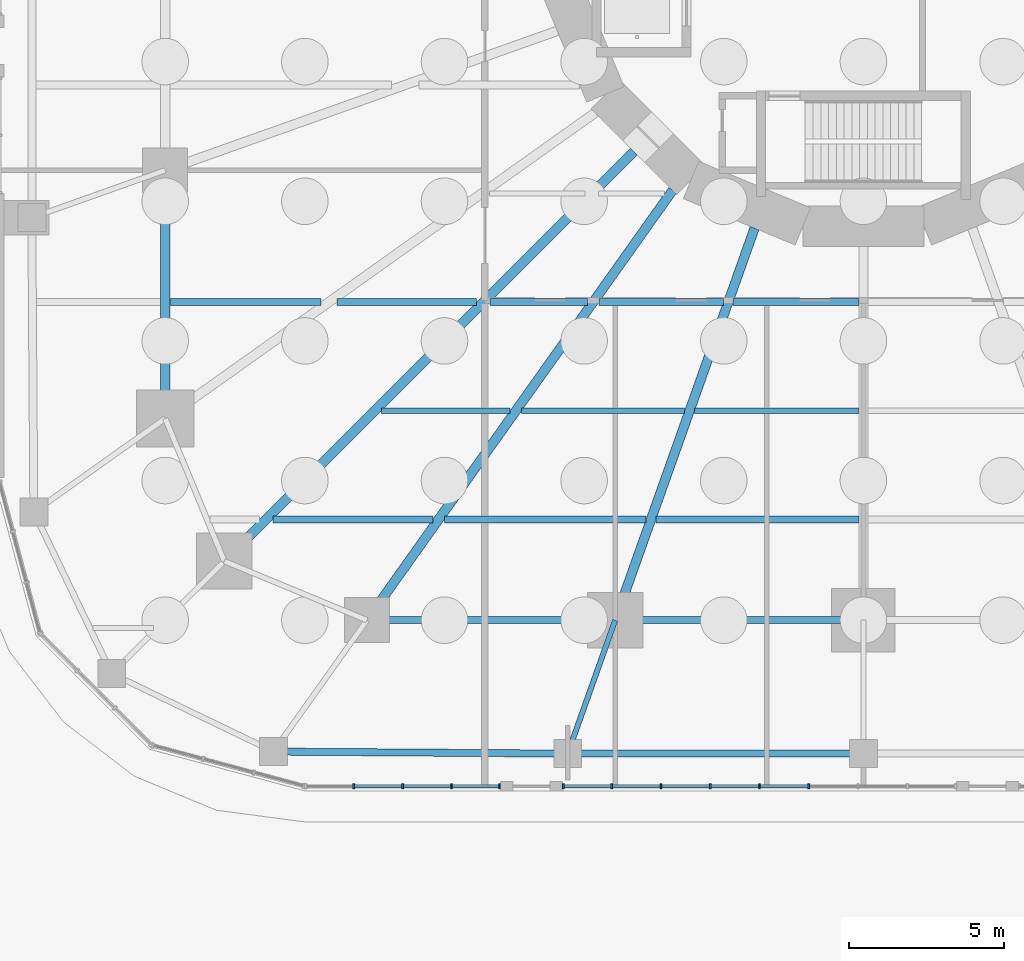
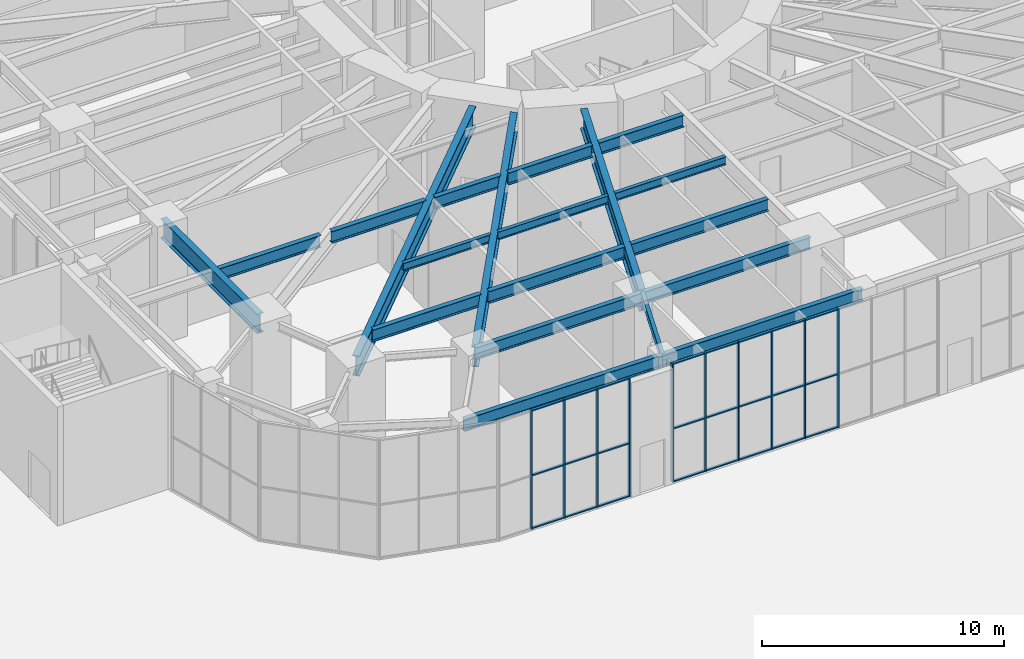
# One storey, part 6 of 43: 34 members, 20 beams, 2 elements without a shape of their own.
"""IFC4 building model written with IfcOpenShell, lengths in metres."""

import ifcopenshell
import ifcopenshell.guid

model = None  # the IFC model being written
_history = None  # IfcOwnerHistory: only IFC2X3 demands one
_inside = {}  # id of a spatial element -> (the spatial element, [elements in it])
_under = {}  # id of a project, library or spatial element -> (it, [spatial elements below it])
_declared = {}  # id of a project -> (the project, [libraries it declares])
_typed = {}  # id of a type object -> (the type object, [elements of that type])
_made_of = {}  # id of a material, layer set ... -> (it, [elements and type objects made of it])


def new_model(schema):
    """Start an empty IFC model of exactly this schema.

    Asked for "IFC4X3", IfcOpenShell would pick the latest addendum, in which some entities
    have other attributes; the version numbers below select the first issue.
    IFC2X3 requires an IfcOwnerHistory on every rooted entity: one is made here for all.
    """
    global model, _history
    if schema == "IFC4X3":
        model = ifcopenshell.file(schema_version=(4, 3, 0, 0))
    else:
        model = ifcopenshell.file(schema=schema)
    _inside.clear()
    _under.clear()
    _declared.clear()
    _typed.clear()
    _made_of.clear()
    _history = None
    if model.schema == "IFC2X3":
        org = make("IfcOrganization", Name="unknown")
        user = make(
            "IfcPersonAndOrganization",
            ThePerson=make("IfcPerson", FamilyName="unknown"),
            TheOrganization=org,
        )
        app = make(
            "IfcApplication",
            ApplicationDeveloper=org,
            Version="unknown",
            ApplicationFullName="unknown",
            ApplicationIdentifier="unknown",
        )
        _history = make(
            "IfcOwnerHistory",
            OwningUser=user,
            OwningApplication=app,
            ChangeAction="ADDED",
            CreationDate=0,
        )
    return model


def make(cls, **values):
    """One entity of the class cls with the attributes given. An attribute that is None is left unset."""
    return model.create_entity(
        cls, **{name: value for name, value in values.items() if value is not None}
    )


def rooted(cls, **values):
    """An entity with a GlobalId (a new one), such as an element, a storey or a relation."""
    return make(cls, GlobalId=ifcopenshell.guid.new(), OwnerHistory=_history, **values)


def si_unit(unit_type, name, prefix=None):
    """IfcSIUnit, for example si_unit("LENGTHUNIT", "METRE", prefix="MILLI")."""
    return make("IfcSIUnit", UnitType=unit_type, Prefix=prefix, Name=name)


def assignment(units):
    """IfcUnitAssignment: the units of a project."""
    return None if units is None else make("IfcUnitAssignment", Units=units)


def point(xyz):
    """IfcCartesianPoint."""
    return None if xyz is None else make("IfcCartesianPoint", Coordinates=xyz)


def direction(xyz):
    """IfcDirection."""
    return None if xyz is None else make("IfcDirection", DirectionRatios=xyz)


def frame(location, z_axis=None, x_axis=None):
    """IfcAxis2Placement3D, a coordinate frame: its origin and axes. An axis left out is left unset."""
    return make(
        "IfcAxis2Placement3D",
        Location=point(location),
        Axis=direction(z_axis),
        RefDirection=direction(x_axis),
    )


def frame_2d(location, x_axis=None):
    """IfcAxis2Placement2D, a coordinate frame in the plane: its origin and x axis."""
    return make(
        "IfcAxis2Placement2D", Location=point(location), RefDirection=direction(x_axis)
    )


def origin():
    """The frame at (0, 0, 0) with its axes left unset."""
    return frame((0.0, 0.0, 0.0))


def origin_2d():
    """The frame at (0, 0) in the plane with its x axis left unset."""
    return frame_2d((0.0, 0.0))


def place(relative_to, where):
    """IfcLocalPlacement: puts the frame where relative to a parent placement (None: the world)."""
    return make(
        "IfcLocalPlacement", PlacementRelTo=relative_to, RelativePlacement=where
    )


def context(
    kind, dimensions, precision=None, world=None, true_north=None, identifier=None
):
    """IfcGeometricRepresentationContext, for example the 3D "Model" context."""
    return make(
        "IfcGeometricRepresentationContext",
        ContextIdentifier=identifier,
        ContextType=kind,
        CoordinateSpaceDimension=dimensions,
        Precision=precision,
        WorldCoordinateSystem=world,
        TrueNorth=true_north,
    )


def subcontext(parent, identifier, kind, view, scale=None):
    """IfcGeometricRepresentationSubContext, for example "Body" below "Model"."""
    return make(
        "IfcGeometricRepresentationSubContext",
        ContextIdentifier=identifier,
        ContextType=kind,
        ParentContext=parent,
        TargetScale=scale,
        TargetView=view,
    )


def project(units=None, contexts=None):
    """IfcProject with its units and contexts."""
    return rooted(
        "IfcProject",
        Name="project",
        RepresentationContexts=contexts,
        UnitsInContext=assignment(units),
    )


def spatial(cls, under=None, at=None, **own):
    """A site, building, storey or space (cls), placed at a placement, below another one or the project."""
    s = rooted(cls, ObjectPlacement=at, **own)
    if under is not None:
        _under.setdefault(under.id(), (under, []))[1].append(s)
    return s


def profile(cls, at=None, kind="AREA", **sizes):
    """A parametric profile (cls). Its sizes go by their IFC names, for example OverallWidth=200.0."""
    return make(cls, ProfileType=kind, Position=at, **sizes)


def rectangle(**sizes):
    """IfcRectangleProfileDef."""
    return profile("IfcRectangleProfileDef", **sizes)


def i_section(**sizes):
    """IfcIShapeProfileDef."""
    return profile("IfcIShapeProfileDef", **sizes)


def extrude(swept, where, along, depth):
    """IfcExtrudedAreaSolid: the profile swept, set in the frame where, extruded along a direction by depth."""
    return make(
        "IfcExtrudedAreaSolid",
        SweptArea=swept,
        Position=where,
        ExtrudedDirection=direction(along),
        Depth=depth,
    )


def shape(context_of_items, identifier, shape_type, items):
    """IfcShapeRepresentation: the items that make up one representation, for example the "Body"."""
    return make(
        "IfcShapeRepresentation",
        ContextOfItems=context_of_items,
        RepresentationIdentifier=identifier,
        RepresentationType=shape_type,
        Items=items,
    )


def material(Name=None, Category=None):
    """IfcMaterial."""
    return make("IfcMaterial", Name=Name, Category=Category)


def material_profile(
    of_material, cross_section, Name=None, Category=None, Priority=None
):
    """IfcMaterialProfile: a cross section and its material."""
    return make(
        "IfcMaterialProfile",
        Name=Name,
        Material=of_material,
        Profile=cross_section,
        Priority=Priority,
        Category=Category,
    )


def profile_set(profiles, Name=None, composite=None):
    """IfcMaterialProfileSet."""
    return make(
        "IfcMaterialProfileSet",
        Name=Name,
        MaterialProfiles=profiles,
        CompositeProfile=composite,
    )


def made_of(thing, what):
    """Note that an element or type object is made of a material, layer set ...; save() writes the relation."""
    if what is not None:
        _made_of.setdefault(what.id(), (what, []))[1].append(thing)
    return thing


def type_object(cls, material=None, **own):
    """A type object (cls), such as IfcWallType, which elements share."""
    return made_of(rooted(cls, **own), material)


def element(
    cls,
    number,
    at=None,
    inside=None,
    cuts=None,
    type_object=None,
    material=None,
    context=None,
    identifier="Body",
    shape_type=None,
    held_by="IfcProductDefinitionShape",
    body=None,
    shapes=None,
    **own,
):
    """One element of the class cls, such as IfcWall. Its Tag is "e" and its number.

    at: its placement. inside: the storey or other place that contains it. cuts: it is an
    opening in that element (IfcRelVoidsElement). A single representation is given by context,
    identifier, shape_type and body (its items); several are given by shapes. held_by: the class
    of the entity that holds the representations. save() writes the other relations.
    """
    e = rooted(cls, Tag="e%d" % number, ObjectPlacement=at, **own)
    if body is not None:
        shapes = [shape(context, identifier, shape_type, body)]
    if shapes is not None:
        e.Representation = make(held_by, Representations=shapes)
    if inside is not None:
        _inside.setdefault(inside.id(), (inside, []))[1].append(e)
    if cuts is not None:
        rooted(
            "IfcRelVoidsElement", RelatingBuildingElement=cuts, RelatedOpeningElement=e
        )
    if type_object is not None:
        _typed.setdefault(type_object.id(), (type_object, []))[1].append(e)
    return made_of(e, material)


def aggregate(whole, parts):
    """IfcRelAggregates: a whole, such as a stair, and the parts it consists of."""
    return rooted("IfcRelAggregates", RelatingObject=whole, RelatedObjects=parts)


def save(model, path):
    """Write the relations noted so far, then the file.

    IfcRelAggregates (storeys below a building ...), IfcRelContainedInSpatialStructure (elements
    in a storey), IfcRelDefinesByType, IfcRelAssociatesMaterial and IfcRelDeclares: one each for
    every whole, place, type object, material and project.
    """
    for whole, parts in _under.values():
        aggregate(whole, parts)
    for where, things in _inside.values():
        rooted(
            "IfcRelContainedInSpatialStructure",
            RelatedElements=things,
            RelatingStructure=where,
        )
    for kind, things in _typed.values():
        rooted("IfcRelDefinesByType", RelatedObjects=things, RelatingType=kind)
    for what, things in _made_of.values():
        rooted("IfcRelAssociatesMaterial", RelatedObjects=things, RelatingMaterial=what)
    for by, libraries in _declared.values():
        rooted("IfcRelDeclares", RelatingContext=by, RelatedDefinitions=libraries)
    model.write(path)


model = new_model("IFC4")

# Units and contexts
model_context = context("Model", 3, precision=1e-05, world=origin(), true_north=direction((0.0, 1.0)))
body_context = subcontext(model_context, "Body", "Model", "MODEL_VIEW")
ifc_project = project(units=[si_unit("LENGTHUNIT", "METRE"), si_unit("AREAUNIT", "SQUARE_METRE"), si_unit("VOLUMEUNIT", "CUBIC_METRE"), si_unit("PLANEANGLEUNIT", "RADIAN"), si_unit("MASSUNIT", "GRAM", prefix="KILO")], contexts=[model_context])

# Site, building, storey
site_placement = place(None, origin())
site = spatial("IfcSite", under=ifc_project, at=site_placement, CompositionType="ELEMENT")
building_placement = place(site_placement, origin())
building = spatial("IfcBuilding", under=site, at=building_placement, Name="Nakasero Lantern House", CompositionType="ELEMENT")
storey_placement = place(building_placement, origin())
storey = spatial("IfcBuildingStorey", under=building, at=storey_placement, Name="L00", CompositionType="ELEMENT", Elevation=0.0)

# Beams
ifc_material_1 = material(Name="Steel S355", Category="steel")
ifc_material_profile_1 = material_profile(ifc_material_1, i_section(OverallWidth=0.177978515625, OverallDepth=0.406494140625, WebThickness=0.0078125, FlangeThickness=0.0126953125, FilletRadius=0.01025390625, at=origin_2d()), Name="UB 406x178x60")
ifc_profile_set_1 = profile_set([ifc_material_profile_1], Name="Steel S355")
beam_type_1 = type_object("IfcBeamType", Name="Infill beam UB 406x178x60", PredefinedType="JOIST", material=ifc_profile_set_1)
beam_1_placement = place(storey_placement, frame((-15.533935546875, -15.75, 5.5966796875), z_axis=(1.0, 0.0, 0.0), x_axis=(0.0, 1.0, 0.0)))
element("IfcBeam", 1, at=beam_1_placement, inside=storey, type_object=beam_type_1, Name="Infill beam L01 04.1", PredefinedType="JOIST", context=body_context, shape_type="SweptSolid", body=[
    extrude(i_section(OverallWidth=0.177978515625, OverallDepth=0.406494140625, WebThickness=0.0078125, FlangeThickness=0.0126953125, FilletRadius=0.01025390625, at=origin_2d()), origin(), (0.0, 0.0, 1.0), 4.146484375),
])
beam_2_placement = place(storey_placement, frame((-11.0126953125, -15.75, 5.5966796875), z_axis=(1.0, 0.0, 0.0), x_axis=(0.0, 1.0, 0.0)))
element("IfcBeam", 2, at=beam_2_placement, inside=storey, type_object=beam_type_1, Name="Infill beam L01 04.2", PredefinedType="JOIST", context=body_context, shape_type="SweptSolid", body=[
    extrude(i_section(OverallWidth=0.177978515625, OverallDepth=0.406494140625, WebThickness=0.0078125, FlangeThickness=0.0126953125, FilletRadius=0.01025390625, at=origin_2d()), origin(), (0.0, 0.0, 1.0), 5.25244140625),
])
beam_3_placement = place(storey_placement, frame((-5.439697265625, -15.75, 5.5966796875), z_axis=(1.0, 0.0, 0.0), x_axis=(0.0, 1.0, 0.0)))
element("IfcBeam", 3, at=beam_3_placement, inside=storey, type_object=beam_type_1, Name="Infill beam L01 04.3", PredefinedType="JOIST", context=body_context, shape_type="SweptSolid", body=[
    extrude(i_section(OverallWidth=0.177978515625, OverallDepth=0.406494140625, WebThickness=0.0078125, FlangeThickness=0.0126953125, FilletRadius=0.01025390625, at=origin_2d()), origin(), (0.0, 0.0, 1.0), 5.289794921875),
])
ifc_material_2 = material(Name="Steel S355", Category="steel")
ifc_material_profile_2 = material_profile(ifc_material_2, i_section(OverallWidth=0.22900390625, OverallDepth=0.6123046875, WebThickness=0.011962890625, FlangeThickness=0.01953125, FilletRadius=0.0126953125, at=origin_2d()), Name="UB 610x229x125")
ifc_profile_set_2 = profile_set([ifc_material_profile_2], Name="Steel S355")
beam_type_2 = type_object("IfcBeamType", Name="Infill beam UB 610x229x125", PredefinedType="JOIST", material=ifc_profile_set_2)
beam_4_placement = place(storey_placement, frame((-19.033935546875, -19.25, 5.493896484375), z_axis=(1.0, 0.0, 0.0), x_axis=(0.0, 1.0, 0.0)))
element("IfcBeam", 4, at=beam_4_placement, inside=storey, type_object=beam_type_2, Name="Infill beam L01 03.2", PredefinedType="JOIST", context=body_context, shape_type="SweptSolid", body=[
    extrude(i_section(OverallWidth=0.22900390625, OverallDepth=0.6123046875, WebThickness=0.011962890625, FlangeThickness=0.01953125, FilletRadius=0.0126953125, at=origin_2d()), origin(), (0.0, 0.0, 1.0), 5.15771484375),
])
beam_5_placement = place(storey_placement, frame((-13.50146484375, -19.25, 5.493896484375), z_axis=(1.0, 0.0, 0.0), x_axis=(0.0, 1.0, 0.0)))
element("IfcBeam", 5, at=beam_5_placement, inside=storey, type_object=beam_type_2, Name="Infill beam L01 03.3", PredefinedType="JOIST", context=body_context, shape_type="SweptSolid", body=[
    extrude(i_section(OverallWidth=0.22900390625, OverallDepth=0.6123046875, WebThickness=0.011962890625, FlangeThickness=0.01953125, FilletRadius=0.0126953125, at=origin_2d()), origin(), (0.0, 0.0, 1.0), 6.496826171875),
])
beam_6_placement = place(storey_placement, frame((-6.68408203125, -19.25, 5.493896484375), z_axis=(1.0, 0.0, 0.0), x_axis=(0.0, 1.0, 0.0)))
element("IfcBeam", 6, at=beam_6_placement, inside=storey, type_object=beam_type_2, Name="Infill beam L01 03.4", PredefinedType="JOIST", context=body_context, shape_type="SweptSolid", body=[
    extrude(i_section(OverallWidth=0.22900390625, OverallDepth=0.6123046875, WebThickness=0.011962890625, FlangeThickness=0.01953125, FilletRadius=0.0126953125, at=origin_2d()), origin(), (0.0, 0.0, 1.0), 6.5341796875),
])
beam_7_placement = place(storey_placement, frame((-22.35009765625, -12.25, 5.493896484375), z_axis=(1.0, 0.0, 0.0), x_axis=(0.0, 1.0, 0.0)))
element("IfcBeam", 7, at=beam_7_placement, inside=storey, type_object=beam_type_2, Name="Infill beam L01 05.2", PredefinedType="JOIST", context=body_context, shape_type="SweptSolid", body=[
    extrude(i_section(OverallWidth=0.22900390625, OverallDepth=0.6123046875, WebThickness=0.011962890625, FlangeThickness=0.01953125, FilletRadius=0.0126953125, at=origin_2d()), origin(), (0.0, 0.0, 1.0), 4.862060546875),
])
beam_8_placement = place(storey_placement, frame((-16.965087890625, -12.25, 5.493896484375), z_axis=(1.0, 0.0, 0.0), x_axis=(0.0, 1.0, 0.0)))
element("IfcBeam", 8, at=beam_8_placement, inside=storey, type_object=beam_type_2, Name="Infill beam L01 05.3", PredefinedType="JOIST", context=body_context, shape_type="SweptSolid", body=[
    extrude(i_section(OverallWidth=0.22900390625, OverallDepth=0.6123046875, WebThickness=0.011962890625, FlangeThickness=0.01953125, FilletRadius=0.0126953125, at=origin_2d()), origin(), (0.0, 0.0, 1.0), 4.4990234375),
])
beam_9_placement = place(storey_placement, frame((-12.033935546875, -12.25, 5.493896484375), z_axis=(1.0, 0.0, 0.0), x_axis=(0.0, 1.0, 0.0)))
element("IfcBeam", 9, at=beam_9_placement, inside=storey, type_object=beam_type_2, Name="Infill beam L01 05.4", PredefinedType="JOIST", context=body_context, shape_type="SweptSolid", body=[
    extrude(i_section(OverallWidth=0.22900390625, OverallDepth=0.6123046875, WebThickness=0.011962890625, FlangeThickness=0.01953125, FilletRadius=0.0126953125, at=origin_2d()), origin(), (0.0, 0.0, 1.0), 3.135498046875),
])
beam_10_placement = place(storey_placement, frame((-8.523681640625, -12.25, 5.493896484375), z_axis=(1.0, 0.0, 0.0), x_axis=(0.0, 1.0, 0.0)))
element("IfcBeam", 10, at=beam_10_placement, inside=storey, type_object=beam_type_2, Name="Infill beam L01 05.5", PredefinedType="JOIST", context=body_context, shape_type="SweptSolid", body=[
    extrude(i_section(OverallWidth=0.22900390625, OverallDepth=0.6123046875, WebThickness=0.011962890625, FlangeThickness=0.01953125, FilletRadius=0.0126953125, at=origin_2d()), origin(), (0.0, 0.0, 1.0), 4.0078125),
])
beam_11_placement = place(storey_placement, frame((-4.1953125, -12.25, 5.493896484375), z_axis=(1.0, 0.0, 0.0), x_axis=(0.0, 1.0, 0.0)))
element("IfcBeam", 11, at=beam_11_placement, inside=storey, type_object=beam_type_2, Name="Infill beam L01 05.6", PredefinedType="JOIST", context=body_context, shape_type="SweptSolid", body=[
    extrude(i_section(OverallWidth=0.22900390625, OverallDepth=0.6123046875, WebThickness=0.011962890625, FlangeThickness=0.01953125, FilletRadius=0.0126953125, at=origin_2d()), origin(), (0.0, 0.0, 1.0), 4.04541015625),
])

# Curtain wall, members
ifc_material_3 = material(Name="Aluminium 6063-T6 and glass", Category="aluminium")
curtain_wall_type = type_object("IfcCurtainWallType", Name="Podium shopfront glazing CW-1", PredefinedType="USERDEFINED", material=ifc_material_3)
curtain_wall_1_placement = place(storey_placement, origin())
curtain_wall_1 = element("IfcCurtainWall", 12, at=curtain_wall_1_placement, inside=storey, type_object=curtain_wall_type, Name="Curtain wall CW-1 L00", ObjectType="STICK CURTAIN WALL", PredefinedType="USERDEFINED")
ifc_material_4 = material(Name="Aluminium 6063-T6", Category="aluminium")
ifc_material_profile_3 = material_profile(ifc_material_4, rectangle(XDim=0.06005859375, YDim=0.159912109375, at=origin_2d()), Name="CW-1 mullion 60x160")
ifc_profile_set_3 = profile_set([ifc_material_profile_3], Name="Aluminium 6063-T6")
member_type_1 = type_object("IfcMemberType", Name="Mullion CW-1", PredefinedType="MULLION", material=ifc_profile_set_3)
member_1_placement = place(storey_placement, frame((-16.425048828125, -27.85009765625, 0.0), z_axis=(0.0, 0.0, 1.0), x_axis=(1.0, 0.0, 0.0)))
member_1 = element("IfcMember", 13, at=member_1_placement, type_object=member_type_1, Name="CW-1 mullion 2", PredefinedType="MULLION", context=body_context, shape_type="SweptSolid", body=[
    extrude(rectangle(XDim=0.06005859375, YDim=0.159912109375, at=origin_2d()), origin(), (0.0, 0.0, 1.0), 6.0),
])
member_2_placement = place(storey_placement, frame((-14.85009765625, -27.85009765625, 0.0), z_axis=(0.0, 0.0, 1.0), x_axis=(1.0, 0.0, 0.0)))
member_2 = element("IfcMember", 14, at=member_2_placement, type_object=member_type_1, Name="CW-1 mullion 3", PredefinedType="MULLION", context=body_context, shape_type="SweptSolid", body=[
    extrude(rectangle(XDim=0.06005859375, YDim=0.159912109375, at=origin_2d()), origin(), (0.0, 0.0, 1.0), 6.0),
])
member_3_placement = place(storey_placement, frame((-13.27490234375, -27.85009765625, 0.0), z_axis=(0.0, 0.0, 1.0), x_axis=(1.0, 0.0, 0.0)))
member_3 = element("IfcMember", 15, at=member_3_placement, type_object=member_type_1, Name="CW-1 mullion 4", PredefinedType="MULLION", context=body_context, shape_type="SweptSolid", body=[
    extrude(rectangle(XDim=0.06005859375, YDim=0.159912109375, at=origin_2d()), origin(), (0.0, 0.0, 1.0), 6.0),
])
member_4_placement = place(storey_placement, frame((-11.72998046875, -27.85009765625, 0.0), z_axis=(0.0, 0.0, 1.0), x_axis=(1.0, 0.0, 0.0)))
member_4 = element("IfcMember", 16, at=member_4_placement, type_object=member_type_1, Name="CW-1 mullion 5", PredefinedType="MULLION", context=body_context, shape_type="SweptSolid", body=[
    extrude(rectangle(XDim=0.06005859375, YDim=0.159912109375, at=origin_2d()), origin(), (0.0, 0.0, 1.0), 6.0),
])

curtain_wall_2_placement = place(storey_placement, origin())
curtain_wall_2 = element("IfcCurtainWall", 17, at=curtain_wall_2_placement, inside=storey, type_object=curtain_wall_type, Name="Curtain wall CW-1 L00", ObjectType="STICK CURTAIN WALL", PredefinedType="USERDEFINED")
member_5_placement = place(storey_placement, frame((-9.669921875, -27.85009765625, 0.0), z_axis=(0.0, 0.0, 1.0), x_axis=(1.0, 0.0, 0.0)))
member_5 = element("IfcMember", 18, at=member_5_placement, type_object=member_type_1, Name="CW-1 mullion 1", PredefinedType="MULLION", context=body_context, shape_type="SweptSolid", body=[
    extrude(rectangle(XDim=0.06005859375, YDim=0.159912109375, at=origin_2d()), origin(), (0.0, 0.0, 1.0), 6.0),
])
member_6_placement = place(storey_placement, frame((-8.112548828125, -27.85009765625, 0.0), z_axis=(0.0, 0.0, 1.0), x_axis=(1.0, 0.0, 0.0)))
member_6 = element("IfcMember", 19, at=member_6_placement, type_object=member_type_1, Name="CW-1 mullion 2", PredefinedType="MULLION", context=body_context, shape_type="SweptSolid", body=[
    extrude(rectangle(XDim=0.06005859375, YDim=0.159912109375, at=origin_2d()), origin(), (0.0, 0.0, 1.0), 6.0),
])
member_7_placement = place(storey_placement, frame((-6.52490234375, -27.85009765625, 0.0), z_axis=(0.0, 0.0, 1.0), x_axis=(1.0, 0.0, 0.0)))
member_7 = element("IfcMember", 20, at=member_7_placement, type_object=member_type_1, Name="CW-1 mullion 3", PredefinedType="MULLION", context=body_context, shape_type="SweptSolid", body=[
    extrude(rectangle(XDim=0.06005859375, YDim=0.159912109375, at=origin_2d()), origin(), (0.0, 0.0, 1.0), 6.0),
])
member_8_placement = place(storey_placement, frame((-4.9375, -27.85009765625, 0.0), z_axis=(0.0, 0.0, 1.0), x_axis=(1.0, 0.0, 0.0)))
member_8 = element("IfcMember", 21, at=member_8_placement, type_object=member_type_1, Name="CW-1 mullion 4", PredefinedType="MULLION", context=body_context, shape_type="SweptSolid", body=[
    extrude(rectangle(XDim=0.06005859375, YDim=0.159912109375, at=origin_2d()), origin(), (0.0, 0.0, 1.0), 6.0),
])
member_9_placement = place(storey_placement, frame((-3.35009765625, -27.85009765625, 0.0), z_axis=(0.0, 0.0, 1.0), x_axis=(1.0, 0.0, 0.0)))
member_9 = element("IfcMember", 22, at=member_9_placement, type_object=member_type_1, Name="CW-1 mullion 5", PredefinedType="MULLION", context=body_context, shape_type="SweptSolid", body=[
    extrude(rectangle(XDim=0.06005859375, YDim=0.159912109375, at=origin_2d()), origin(), (0.0, 0.0, 1.0), 6.0),
])
member_10_placement = place(storey_placement, frame((-1.762451171875, -27.85009765625, 0.0), z_axis=(0.0, 0.0, 1.0), x_axis=(1.0, 0.0, 0.0)))
member_10 = element("IfcMember", 23, at=member_10_placement, type_object=member_type_1, Name="CW-1 mullion 6", PredefinedType="MULLION", context=body_context, shape_type="SweptSolid", body=[
    extrude(rectangle(XDim=0.06005859375, YDim=0.159912109375, at=origin_2d()), origin(), (0.0, 0.0, 1.0), 6.0),
])

# Beams
ifc_material_5 = material(Name="Steel S355", Category="steel")
ifc_material_profile_4 = material_profile(ifc_material_5, i_section(OverallWidth=0.302001953125, OverallDepth=1.008056640625, WebThickness=0.02099609375, FlangeThickness=0.0400390625, FilletRadius=0.030029296875, at=origin_2d()), Name="UB 1016x305x349")
ifc_profile_set_4 = profile_set([ifc_material_profile_4], Name="Steel S355")
beam_type_3 = type_object("IfcBeamType", Name="Primary beam UB 1016x305x349, span 12 to 15 m", PredefinedType="BEAM", material=ifc_profile_set_4)
beam_12_placement = place(storey_placement, frame((-8.0, -22.5, 5.2958984375), z_axis=(0.335010745293, 0.942214307118, 0.0), x_axis=(-0.942214307118, 0.335010745293, 0.0)))
element("IfcBeam", 24, at=beam_12_placement, inside=storey, type_object=beam_type_3, Name="Primary beam L01 B1-C20", PredefinedType="BEAM", context=body_context, shape_type="SweptSolid", body=[
    extrude(i_section(OverallWidth=0.302001953125, OverallDepth=1.008056640625, WebThickness=0.02099609375, FlangeThickness=0.0400390625, FilletRadius=0.030029296875, at=origin_2d()), origin(), (0.0, 0.0, 1.0), 13.408447265625),
])
ifc_material_6 = material(Name="Steel S355", Category="steel")
ifc_material_profile_5 = material_profile(ifc_material_6, i_section(OverallWidth=0.305419921875, OverallDepth=1.026123046875, WebThickness=0.02685546875, FlangeThickness=0.049072265625, FilletRadius=0.030029296875, at=origin_2d()), Name="UB 1016x305x437")
ifc_profile_set_5 = profile_set([ifc_material_profile_5], Name="Steel S355")
beam_type_4 = type_object("IfcBeamType", Name="Primary beam UB 1016x305x437, span over 15 m", PredefinedType="BEAM", material=ifc_profile_set_5)
beam_13_placement = place(storey_placement, frame((-20.59619140625, -20.59619140625, 5.286865234375), z_axis=(0.707106781187, 0.707106781187, 0.0), x_axis=(-0.707106781187, 0.707106781187, 0.0)))
element("IfcBeam", 25, at=beam_13_placement, inside=storey, type_object=beam_type_4, Name="Primary beam L01 B1-C18", PredefinedType="BEAM", context=body_context, shape_type="SweptSolid", body=[
    extrude(i_section(OverallWidth=0.305419921875, OverallDepth=1.026123046875, WebThickness=0.02685546875, FlangeThickness=0.049072265625, FilletRadius=0.030029296875, at=origin_2d()), origin(), (0.0, 0.0, 1.0), 18.669677734375),
])
beam_14_placement = place(storey_placement, frame((-16.0, -22.5, 5.286865234375), z_axis=(0.579528236629, 0.814952159915, 0.0), x_axis=(-0.814952159915, 0.579528236629, 0.0)))
element("IfcBeam", 26, at=beam_14_placement, inside=storey, type_object=beam_type_4, Name="Primary beam L01 B1-C19", PredefinedType="BEAM", context=body_context, shape_type="SweptSolid", body=[
    extrude(i_section(OverallWidth=0.305419921875, OverallDepth=1.026123046875, WebThickness=0.02685546875, FlangeThickness=0.049072265625, FilletRadius=0.030029296875, at=origin_2d()), origin(), (0.0, 0.0, 1.0), 17.003173828125),
])
ifc_material_7 = material(Name="Steel S355", Category="steel")
ifc_material_profile_6 = material_profile(ifc_material_7, i_section(OverallWidth=0.17138671875, OverallDepth=0.35498046875, WebThickness=0.00732421875, FlangeThickness=0.011474609375, FilletRadius=0.01025390625, at=origin_2d()), Name="UB 356x171x51")
ifc_profile_set_6 = profile_set([ifc_material_profile_6], Name="Steel S355")
beam_type_5 = type_object("IfcBeamType", Name="Primary beam UB 356x171x51, span to 6 m", PredefinedType="BEAM", material=ifc_profile_set_6)
beam_15_placement = place(storey_placement, frame((-9.52880859375, -26.800048828125, 5.62255859375), z_axis=(0.334990670833, 0.942221444489, 0.0), x_axis=(-0.942221444489, 0.334990670833, 0.0)))
element("IfcBeam", 27, at=beam_15_placement, inside=storey, type_object=beam_type_5, Name="Primary beam L01 POD-C20", PredefinedType="BEAM", context=body_context, shape_type="SweptSolid", body=[
    extrude(i_section(OverallWidth=0.17138671875, OverallDepth=0.35498046875, WebThickness=0.00732421875, FlangeThickness=0.011474609375, FilletRadius=0.01025390625, at=origin_2d()), origin(), (0.0, 0.0, 1.0), 4.563720703125),
])
ifc_material_8 = material(Name="Steel S355", Category="steel")
ifc_material_profile_7 = material_profile(ifc_material_8, i_section(OverallWidth=0.300048828125, OverallDepth=0.97021484375, WebThickness=0.01611328125, FlangeThickness=0.02099609375, FilletRadius=0.030029296875, at=origin_2d()), Name="UB 1016x305x222")
ifc_profile_set_7 = profile_set([ifc_material_profile_7], Name="Steel S355")
beam_type_6 = type_object("IfcBeamType", Name="Ring beam UB 1016x305x222", PredefinedType="BEAM", material=ifc_profile_set_7)
beam_16_placement = place(storey_placement, frame((-22.5, -8.0, 5.31494140625), z_axis=(0.0, -1.0, 0.0), x_axis=(1.0, 0.0, 0.0)))
element("IfcBeam", 28, at=beam_16_placement, inside=storey, type_object=beam_type_6, Name="Ring beam L01 B1-C16", PredefinedType="BEAM", context=body_context, shape_type="SweptSolid", body=[
    extrude(i_section(OverallWidth=0.300048828125, OverallDepth=0.97021484375, WebThickness=0.01611328125, FlangeThickness=0.02099609375, FilletRadius=0.030029296875, at=origin_2d()), origin(), (0.0, 0.0, 1.0), 8.0),
])
ifc_material_9 = material(Name="Steel S355", Category="steel")
ifc_material_profile_8 = material_profile(ifc_material_9, i_section(OverallWidth=0.2275390625, OverallDepth=0.6025390625, WebThickness=0.010498046875, FlangeThickness=0.014892578125, FilletRadius=0.0126953125, at=origin_2d()), Name="UB 610x229x101")
ifc_profile_set_8 = profile_set([ifc_material_profile_8], Name="Steel S355")
beam_type_7 = type_object("IfcBeamType", Name="Ring beam UB 610x229x101", PredefinedType="BEAM", material=ifc_profile_set_8)
for number, where, z_axis, x_axis, name in (
    (29, (-16.0, -22.5, 5.498779296875), (1.0, 0.0, 0.0), (0.0, 1.0, 0.0), "Ring beam L01 B1-C19"),
    (30, (-8.0, -22.5, 5.498779296875), (1.0, 0.0, 0.0), (0.0, 1.0, 0.0), "Ring beam L01 B1-C20"),
):
    element("IfcBeam", number, at=place(storey_placement, frame(where, z_axis=z_axis, x_axis=x_axis)), inside=storey, type_object=beam_type_7, Name=name, PredefinedType="BEAM", context=body_context, shape_type="SweptSolid", body=[
        extrude(i_section(OverallWidth=0.2275390625, OverallDepth=0.6025390625, WebThickness=0.010498046875, FlangeThickness=0.014892578125, FilletRadius=0.0126953125, at=origin_2d()), origin(), (0.0, 0.0, 1.0), 8.0),
    ])
ifc_material_10 = material(Name="Steel S355", Category="steel")
ifc_material_profile_9 = material_profile(ifc_material_10, i_section(OverallWidth=0.22900390625, OverallDepth=0.6123046875, WebThickness=0.011962890625, FlangeThickness=0.01953125, FilletRadius=0.0126953125, at=origin_2d()), Name="UB 610x229x125")
ifc_profile_set_9 = profile_set([ifc_material_profile_9], Name="Steel S355")
beam_type_8 = type_object("IfcBeamType", Name="Ring beam UB 610x229x125", PredefinedType="BEAM", material=ifc_profile_set_9)
beam_17_placement = place(storey_placement, frame((-19.0107421875, -26.733642578125, 5.493896484375), z_axis=(0.999975476745, -0.007003278482, 0.0), x_axis=(0.007003278482, 0.999975476745, 0.0)))
element("IfcBeam", 31, at=beam_17_placement, inside=storey, type_object=beam_type_8, Name="Ring beam L01 POD-C19", PredefinedType="BEAM", context=body_context, shape_type="SweptSolid", body=[
    extrude(i_section(OverallWidth=0.22900390625, OverallDepth=0.6123046875, WebThickness=0.011962890625, FlangeThickness=0.01953125, FilletRadius=0.0126953125, at=origin_2d()), origin(), (0.0, 0.0, 1.0), 9.482177734375),
])
beam_18_placement = place(storey_placement, frame((-9.52880859375, -26.800048828125, 5.493896484375), z_axis=(1.0, 0.0, 0.0), x_axis=(0.0, 1.0, 0.0)))
element("IfcBeam", 32, at=beam_18_placement, inside=storey, type_object=beam_type_8, Name="Ring beam L01 POD-C20", PredefinedType="BEAM", context=body_context, shape_type="SweptSolid", body=[
    extrude(i_section(OverallWidth=0.22900390625, OverallDepth=0.6123046875, WebThickness=0.011962890625, FlangeThickness=0.01953125, FilletRadius=0.0126953125, at=origin_2d()), origin(), (0.0, 0.0, 1.0), 9.52880859375),
])

# Member
ifc_material_11 = material(Name="Aluminium 6063-T6", Category="aluminium")
ifc_material_profile_10 = material_profile(ifc_material_11, rectangle(XDim=0.06005859375, YDim=0.1201171875, at=origin_2d()), Name="CW-1 transom 60x120")
ifc_profile_set_10 = profile_set([ifc_material_profile_10], Name="Aluminium 6063-T6")
member_type_2 = type_object("IfcMemberType", Name="Transom CW-1", PredefinedType="USERDEFINED", material=ifc_profile_set_10)
member_11_placement = place(storey_placement, frame((-16.39501953125, -27.85009765625, 0.030029296875), z_axis=(1.0, 0.0, 0.0), x_axis=(0.0, 0.0, 1.0)))
member_11 = element("IfcMember", 33, at=member_11_placement, type_object=member_type_2, Name="CW-1 transom 2.1", ObjectType="TRANSOM", PredefinedType="USERDEFINED", context=body_context, shape_type="SweptSolid", body=[
    extrude(rectangle(XDim=0.06005859375, YDim=0.1201171875, at=origin_2d()), origin(), (0.0, 0.0, 1.0), 1.51513671875),
])

member_12_placement = place(storey_placement, frame((-16.39501953125, -27.85009765625, 2.699951171875), z_axis=(1.0, 0.0, 0.0), x_axis=(0.0, 0.0, 1.0)))
member_12 = element("IfcMember", 34, at=member_12_placement, type_object=member_type_2, Name="CW-1 transom 2.2", ObjectType="TRANSOM", PredefinedType="USERDEFINED", context=body_context, shape_type="SweptSolid", body=[
    extrude(rectangle(XDim=0.06005859375, YDim=0.1201171875, at=origin_2d()), origin(), (0.0, 0.0, 1.0), 1.51513671875),
])

member_13_placement = place(storey_placement, frame((-16.39501953125, -27.85009765625, 5.969970703125), z_axis=(1.0, 0.0, 0.0), x_axis=(0.0, 0.0, 1.0)))
member_13 = element("IfcMember", 35, at=member_13_placement, type_object=member_type_2, Name="CW-1 transom 2.3", ObjectType="TRANSOM", PredefinedType="USERDEFINED", context=body_context, shape_type="SweptSolid", body=[
    extrude(rectangle(XDim=0.06005859375, YDim=0.1201171875, at=origin_2d()), origin(), (0.0, 0.0, 1.0), 1.51513671875),
])

member_14_placement = place(storey_placement, frame((-14.820068359375, -27.85009765625, 0.030029296875), z_axis=(1.0, 0.0, 0.0), x_axis=(0.0, 0.0, 1.0)))
member_14 = element("IfcMember", 36, at=member_14_placement, type_object=member_type_2, Name="CW-1 transom 3.1", ObjectType="TRANSOM", PredefinedType="USERDEFINED", context=body_context, shape_type="SweptSolid", body=[
    extrude(rectangle(XDim=0.06005859375, YDim=0.1201171875, at=origin_2d()), origin(), (0.0, 0.0, 1.0), 1.51513671875),
])

member_15_placement = place(storey_placement, frame((-14.820068359375, -27.85009765625, 2.699951171875), z_axis=(1.0, 0.0, 0.0), x_axis=(0.0, 0.0, 1.0)))
member_15 = element("IfcMember", 37, at=member_15_placement, type_object=member_type_2, Name="CW-1 transom 3.2", ObjectType="TRANSOM", PredefinedType="USERDEFINED", context=body_context, shape_type="SweptSolid", body=[
    extrude(rectangle(XDim=0.06005859375, YDim=0.1201171875, at=origin_2d()), origin(), (0.0, 0.0, 1.0), 1.51513671875),
])

member_16_placement = place(storey_placement, frame((-14.820068359375, -27.85009765625, 5.969970703125), z_axis=(1.0, 0.0, 0.0), x_axis=(0.0, 0.0, 1.0)))
member_16 = element("IfcMember", 38, at=member_16_placement, type_object=member_type_2, Name="CW-1 transom 3.3", ObjectType="TRANSOM", PredefinedType="USERDEFINED", context=body_context, shape_type="SweptSolid", body=[
    extrude(rectangle(XDim=0.06005859375, YDim=0.1201171875, at=origin_2d()), origin(), (0.0, 0.0, 1.0), 1.51513671875),
])

member_17_placement = place(storey_placement, frame((-13.2451171875, -27.85009765625, 0.030029296875), z_axis=(1.0, 0.0, 0.0), x_axis=(0.0, 0.0, 1.0)))
member_17 = element("IfcMember", 39, at=member_17_placement, type_object=member_type_2, Name="CW-1 transom 4.1", ObjectType="TRANSOM", PredefinedType="USERDEFINED", context=body_context, shape_type="SweptSolid", body=[
    extrude(rectangle(XDim=0.06005859375, YDim=0.1201171875, at=origin_2d()), origin(), (0.0, 0.0, 1.0), 1.485107421875),
])

member_18_placement = place(storey_placement, frame((-13.2451171875, -27.85009765625, 2.699951171875), z_axis=(1.0, 0.0, 0.0), x_axis=(0.0, 0.0, 1.0)))
member_18 = element("IfcMember", 40, at=member_18_placement, type_object=member_type_2, Name="CW-1 transom 4.2", ObjectType="TRANSOM", PredefinedType="USERDEFINED", context=body_context, shape_type="SweptSolid", body=[
    extrude(rectangle(XDim=0.06005859375, YDim=0.1201171875, at=origin_2d()), origin(), (0.0, 0.0, 1.0), 1.485107421875),
])

member_19_placement = place(storey_placement, frame((-13.2451171875, -27.85009765625, 5.969970703125), z_axis=(1.0, 0.0, 0.0), x_axis=(0.0, 0.0, 1.0)))
member_19 = element("IfcMember", 41, at=member_19_placement, type_object=member_type_2, Name="CW-1 transom 4.3", ObjectType="TRANSOM", PredefinedType="USERDEFINED", context=body_context, shape_type="SweptSolid", body=[
    extrude(rectangle(XDim=0.06005859375, YDim=0.1201171875, at=origin_2d()), origin(), (0.0, 0.0, 1.0), 1.485107421875),
])

aggregate(curtain_wall_1, [member_1, member_2, member_3, member_4, member_11, member_12, member_13, member_14, member_15, member_16, member_17, member_18, member_19])

member_20_placement = place(storey_placement, frame((-9.639892578125, -27.85009765625, 0.030029296875), z_axis=(1.0, 0.0, 0.0), x_axis=(0.0, 0.0, 1.0)))
member_20 = element("IfcMember", 42, at=member_20_placement, type_object=member_type_2, Name="CW-1 transom 1.1", ObjectType="TRANSOM", PredefinedType="USERDEFINED", context=body_context, shape_type="SweptSolid", body=[
    extrude(rectangle(XDim=0.06005859375, YDim=0.1201171875, at=origin_2d()), origin(), (0.0, 0.0, 1.0), 1.497314453125),
])

member_21_placement = place(storey_placement, frame((-9.639892578125, -27.85009765625, 2.699951171875), z_axis=(1.0, 0.0, 0.0), x_axis=(0.0, 0.0, 1.0)))
member_21 = element("IfcMember", 43, at=member_21_placement, type_object=member_type_2, Name="CW-1 transom 1.2", ObjectType="TRANSOM", PredefinedType="USERDEFINED", context=body_context, shape_type="SweptSolid", body=[
    extrude(rectangle(XDim=0.06005859375, YDim=0.1201171875, at=origin_2d()), origin(), (0.0, 0.0, 1.0), 1.497314453125),
])

member_22_placement = place(storey_placement, frame((-9.639892578125, -27.85009765625, 5.969970703125), z_axis=(1.0, 0.0, 0.0), x_axis=(0.0, 0.0, 1.0)))
member_22 = element("IfcMember", 44, at=member_22_placement, type_object=member_type_2, Name="CW-1 transom 1.3", ObjectType="TRANSOM", PredefinedType="USERDEFINED", context=body_context, shape_type="SweptSolid", body=[
    extrude(rectangle(XDim=0.06005859375, YDim=0.1201171875, at=origin_2d()), origin(), (0.0, 0.0, 1.0), 1.497314453125),
])

member_23_placement = place(storey_placement, frame((-8.08251953125, -27.85009765625, 0.030029296875), z_axis=(1.0, 0.0, 0.0), x_axis=(0.0, 0.0, 1.0)))
member_23 = element("IfcMember", 45, at=member_23_placement, type_object=member_type_2, Name="CW-1 transom 2.1", ObjectType="TRANSOM", PredefinedType="USERDEFINED", context=body_context, shape_type="SweptSolid", body=[
    extrude(rectangle(XDim=0.06005859375, YDim=0.1201171875, at=origin_2d()), origin(), (0.0, 0.0, 1.0), 1.527587890625),
])

member_24_placement = place(storey_placement, frame((-8.08251953125, -27.85009765625, 2.699951171875), z_axis=(1.0, 0.0, 0.0), x_axis=(0.0, 0.0, 1.0)))
member_24 = element("IfcMember", 46, at=member_24_placement, type_object=member_type_2, Name="CW-1 transom 2.2", ObjectType="TRANSOM", PredefinedType="USERDEFINED", context=body_context, shape_type="SweptSolid", body=[
    extrude(rectangle(XDim=0.06005859375, YDim=0.1201171875, at=origin_2d()), origin(), (0.0, 0.0, 1.0), 1.527587890625),
])

member_25_placement = place(storey_placement, frame((-8.08251953125, -27.85009765625, 5.969970703125), z_axis=(1.0, 0.0, 0.0), x_axis=(0.0, 0.0, 1.0)))
member_25 = element("IfcMember", 47, at=member_25_placement, type_object=member_type_2, Name="CW-1 transom 2.3", ObjectType="TRANSOM", PredefinedType="USERDEFINED", context=body_context, shape_type="SweptSolid", body=[
    extrude(rectangle(XDim=0.06005859375, YDim=0.1201171875, at=origin_2d()), origin(), (0.0, 0.0, 1.0), 1.527587890625),
])

member_26_placement = place(storey_placement, frame((-6.4951171875, -27.85009765625, 0.030029296875), z_axis=(1.0, 0.0, 0.0), x_axis=(0.0, 0.0, 1.0)))
member_26 = element("IfcMember", 48, at=member_26_placement, type_object=member_type_2, Name="CW-1 transom 3.1", ObjectType="TRANSOM", PredefinedType="USERDEFINED", context=body_context, shape_type="SweptSolid", body=[
    extrude(rectangle(XDim=0.06005859375, YDim=0.1201171875, at=origin_2d()), origin(), (0.0, 0.0, 1.0), 1.527587890625),
])

member_27_placement = place(storey_placement, frame((-6.4951171875, -27.85009765625, 2.699951171875), z_axis=(1.0, 0.0, 0.0), x_axis=(0.0, 0.0, 1.0)))
member_27 = element("IfcMember", 49, at=member_27_placement, type_object=member_type_2, Name="CW-1 transom 3.2", ObjectType="TRANSOM", PredefinedType="USERDEFINED", context=body_context, shape_type="SweptSolid", body=[
    extrude(rectangle(XDim=0.06005859375, YDim=0.1201171875, at=origin_2d()), origin(), (0.0, 0.0, 1.0), 1.527587890625),
])

member_28_placement = place(storey_placement, frame((-6.4951171875, -27.85009765625, 5.969970703125), z_axis=(1.0, 0.0, 0.0), x_axis=(0.0, 0.0, 1.0)))
member_28 = element("IfcMember", 50, at=member_28_placement, type_object=member_type_2, Name="CW-1 transom 3.3", ObjectType="TRANSOM", PredefinedType="USERDEFINED", context=body_context, shape_type="SweptSolid", body=[
    extrude(rectangle(XDim=0.06005859375, YDim=0.1201171875, at=origin_2d()), origin(), (0.0, 0.0, 1.0), 1.527587890625),
])

member_29_placement = place(storey_placement, frame((-4.907470703125, -27.85009765625, 0.030029296875), z_axis=(1.0, 0.0, 0.0), x_axis=(0.0, 0.0, 1.0)))
member_29 = element("IfcMember", 51, at=member_29_placement, type_object=member_type_2, Name="CW-1 transom 4.1", ObjectType="TRANSOM", PredefinedType="USERDEFINED", context=body_context, shape_type="SweptSolid", body=[
    extrude(rectangle(XDim=0.06005859375, YDim=0.1201171875, at=origin_2d()), origin(), (0.0, 0.0, 1.0), 1.527587890625),
])

member_30_placement = place(storey_placement, frame((-4.907470703125, -27.85009765625, 2.699951171875), z_axis=(1.0, 0.0, 0.0), x_axis=(0.0, 0.0, 1.0)))
member_30 = element("IfcMember", 52, at=member_30_placement, type_object=member_type_2, Name="CW-1 transom 4.2", ObjectType="TRANSOM", PredefinedType="USERDEFINED", context=body_context, shape_type="SweptSolid", body=[
    extrude(rectangle(XDim=0.06005859375, YDim=0.1201171875, at=origin_2d()), origin(), (0.0, 0.0, 1.0), 1.527587890625),
])

member_31_placement = place(storey_placement, frame((-4.907470703125, -27.85009765625, 5.969970703125), z_axis=(1.0, 0.0, 0.0), x_axis=(0.0, 0.0, 1.0)))
member_31 = element("IfcMember", 53, at=member_31_placement, type_object=member_type_2, Name="CW-1 transom 4.3", ObjectType="TRANSOM", PredefinedType="USERDEFINED", context=body_context, shape_type="SweptSolid", body=[
    extrude(rectangle(XDim=0.06005859375, YDim=0.1201171875, at=origin_2d()), origin(), (0.0, 0.0, 1.0), 1.527587890625),
])

member_32_placement = place(storey_placement, frame((-3.320068359375, -27.85009765625, 0.030029296875), z_axis=(1.0, 0.0, 0.0), x_axis=(0.0, 0.0, 1.0)))
member_32 = element("IfcMember", 54, at=member_32_placement, type_object=member_type_2, Name="CW-1 transom 5.1", ObjectType="TRANSOM", PredefinedType="USERDEFINED", context=body_context, shape_type="SweptSolid", body=[
    extrude(rectangle(XDim=0.06005859375, YDim=0.1201171875, at=origin_2d()), origin(), (0.0, 0.0, 1.0), 1.527587890625),
])

member_33_placement = place(storey_placement, frame((-3.320068359375, -27.85009765625, 2.699951171875), z_axis=(1.0, 0.0, 0.0), x_axis=(0.0, 0.0, 1.0)))
member_33 = element("IfcMember", 55, at=member_33_placement, type_object=member_type_2, Name="CW-1 transom 5.2", ObjectType="TRANSOM", PredefinedType="USERDEFINED", context=body_context, shape_type="SweptSolid", body=[
    extrude(rectangle(XDim=0.06005859375, YDim=0.1201171875, at=origin_2d()), origin(), (0.0, 0.0, 1.0), 1.527587890625),
])

member_34_placement = place(storey_placement, frame((-3.320068359375, -27.85009765625, 5.969970703125), z_axis=(1.0, 0.0, 0.0), x_axis=(0.0, 0.0, 1.0)))
member_34 = element("IfcMember", 56, at=member_34_placement, type_object=member_type_2, Name="CW-1 transom 5.3", ObjectType="TRANSOM", PredefinedType="USERDEFINED", context=body_context, shape_type="SweptSolid", body=[
    extrude(rectangle(XDim=0.06005859375, YDim=0.1201171875, at=origin_2d()), origin(), (0.0, 0.0, 1.0), 1.527587890625),
])

aggregate(curtain_wall_2, [member_5, member_6, member_7, member_8, member_9, member_10, member_20, member_21, member_22, member_23, member_24, member_25, member_26, member_27, member_28, member_29, member_30, member_31, member_32, member_33, member_34])

save(model, "model.ifc")
